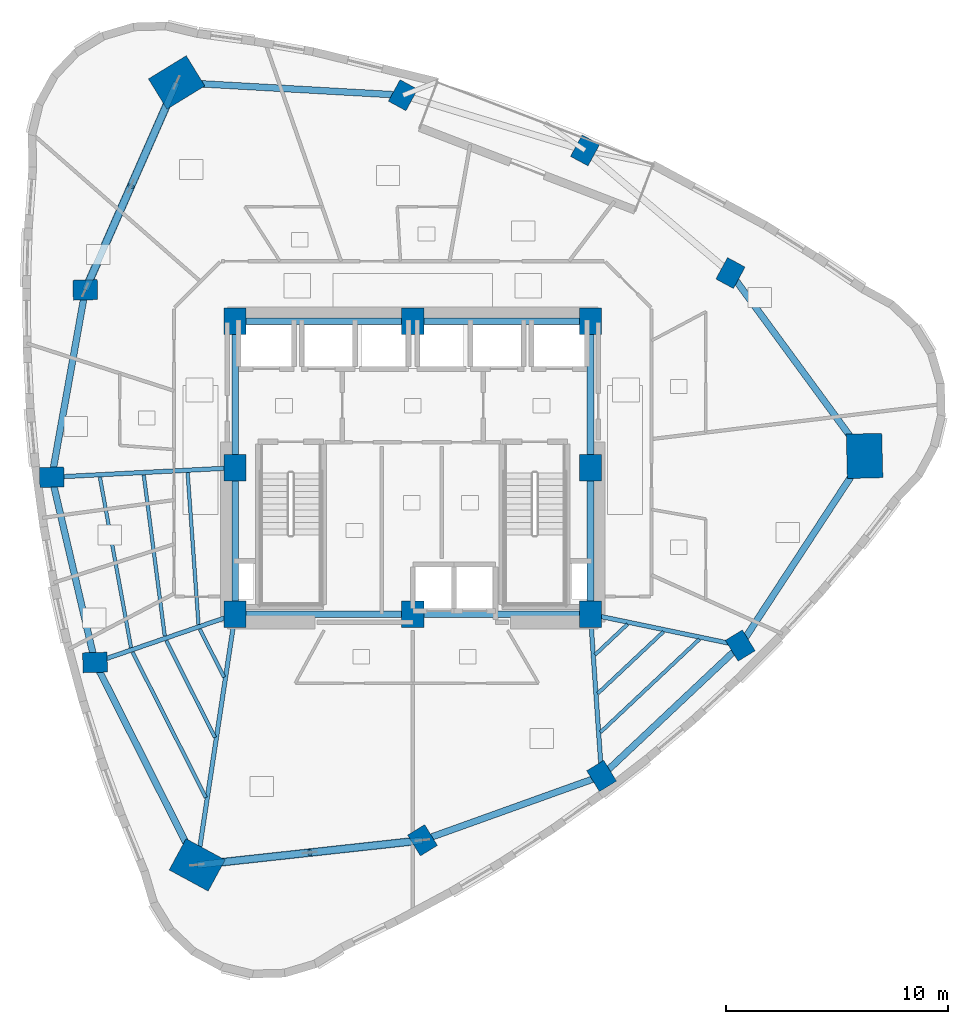
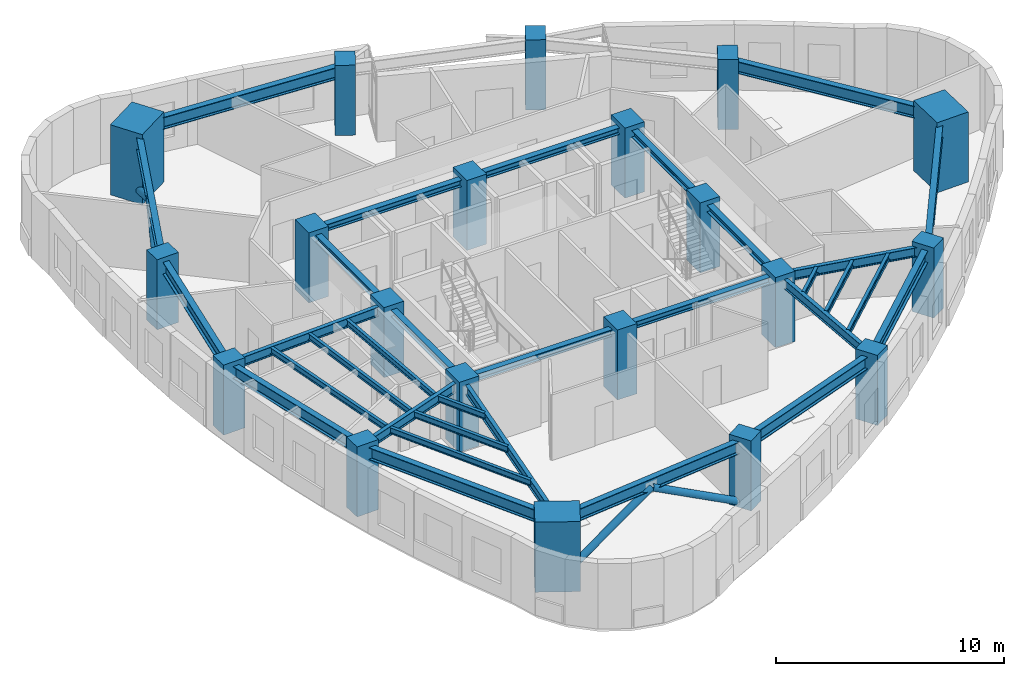
# One storey, part 1 of 13: 32 beams, 20 columns, 4 members.
"""IFC4 building model written with IfcOpenShell, lengths in metres."""

from ifc_helpers import new_model, si_unit, direction, frame, origin, origin_2d, place, context, subcontext, project, spatial, rectangle, hollow_circle, i_section, extrude, material, material_profile, profile_set, type_object, element, save


model = new_model("IFC4")

# Units and contexts
model_context = context("Model", 3, precision=1e-05, world=origin(), true_north=direction((0.0, 1.0)))
body_context = subcontext(model_context, "Body", "Model", "MODEL_VIEW")
ifc_project = project(units=[si_unit("LENGTHUNIT", "METRE"), si_unit("AREAUNIT", "SQUARE_METRE"), si_unit("VOLUMEUNIT", "CUBIC_METRE"), si_unit("PLANEANGLEUNIT", "RADIAN"), si_unit("MASSUNIT", "GRAM", prefix="KILO")], contexts=[model_context])

# Site, building, storey
site_placement = place(None, origin())
site = spatial("IfcSite", under=ifc_project, at=site_placement, CompositionType="ELEMENT")
building_placement = place(site_placement, origin())
building = spatial("IfcBuilding", under=site, at=building_placement, Name="Ndelora Gate Hotel", CompositionType="ELEMENT")
storey_placement = place(building_placement, frame((0.0, 0.0, 157.25)))
storey = spatial("IfcBuildingStorey", under=building, at=storey_placement, Name="L39", CompositionType="ELEMENT", Elevation=157.25)

# Columns
ifc_material_1 = material(Name="Concrete C60/75", Category="concrete")
ifc_material_profile_1 = material_profile(ifc_material_1, rectangle(XDim=1.0, YDim=1.199951171875, at=origin_2d()), Name="RC 1200x1000")
ifc_profile_set_1 = profile_set([ifc_material_profile_1], Name="Concrete C60/75")
column_type_1 = type_object("IfcColumnType", Name="COL-CC-MID", PredefinedType="COLUMN", material=ifc_profile_set_1)
for number, where, z_axis, x_axis, name in (
    (1, (-8.0, -6.60009765625, 0.0), (0.0, 0.0, 1.0), (1.0, 0.0, 0.0), "L39 Core Column CC1"),
    (2, (0.0, -6.60009765625, 0.0), (0.0, 0.0, 1.0), (1.0, 0.0, 0.0), "L39 Core Column CC2"),
    (3, (8.0, -6.60009765625, 0.0), (0.0, 0.0, 1.0), (1.0, 0.0, 0.0), "L39 Core Column CC3"),
    (4, (8.0, 0.0, 0.0), (0.0, 0.0, 1.0), (1.0, 0.0, 0.0), "L39 Core Column CC4"),
    (5, (8.0, 6.60009765625, 0.0), (0.0, 0.0, 1.0), (1.0, 0.0, 0.0), "L39 Core Column CC5"),
    (6, (0.0, 6.60009765625, 0.0), (0.0, 0.0, 1.0), (1.0, 0.0, 0.0), "L39 Core Column CC6"),
    (7, (-8.0, 6.60009765625, 0.0), (0.0, 0.0, 1.0), (1.0, 0.0, 0.0), "L39 Core Column CC7"),
    (8, (-8.0, 0.0, 0.0), (0.0, 0.0, 1.0), (1.0, 0.0, 0.0), "L39 Core Column CC8"),
):
    element("IfcColumn", number, at=place(storey_placement, frame(where, z_axis=z_axis, x_axis=x_axis)), inside=storey, type_object=column_type_1, Name=name, PredefinedType="COLUMN", context=body_context, shape_type="SweptSolid", body=[
        extrude(rectangle(XDim=1.0, YDim=1.199951171875, at=origin_2d()), origin(), (0.0, 0.0, 1.0), 3.75),
    ])
ifc_material_profile_2 = material_profile(ifc_material_1, rectangle(XDim=1.60009765625, YDim=2.0, at=origin_2d()), Name="RC 2000x1600")
ifc_profile_set_2 = profile_set([ifc_material_profile_2], Name="Concrete C60/75")
column_type_2 = type_object("IfcColumnType", Name="COL-MC-Z2", PredefinedType="COLUMN", material=ifc_profile_set_2)
for number, where, z_axis, x_axis, name in (
    (9, (-10.63330078125, 17.351806640625, 0.0), (0.0, 0.0, 1.0), (-0.522498564716, 0.852640164354, 0.0), "L39 Corner Mega-Column R1"),
    (10, (-9.71044921875, -17.884521484375, 0.0), (0.0, 0.0, 1.0), (0.47715876026, 0.878817112662, 0.0), "L39 Corner Mega-Column R5"),
    (11, (20.34375, 0.53271484375, 0.0), (0.0, 0.0, 1.0), (0.999657324976, 0.026176948308, 0.0), "L39 Corner Mega-Column R9"),
):
    element("IfcColumn", number, at=place(storey_placement, frame(where, z_axis=z_axis, x_axis=x_axis)), inside=storey, type_object=column_type_2, Name=name, PredefinedType="COLUMN", context=body_context, shape_type="SweptSolid", body=[
        extrude(rectangle(XDim=1.60009765625, YDim=2.0, at=origin_2d()), origin(), (0.0, 0.0, 1.0), 3.75),
    ])
ifc_material_profile_3 = material_profile(ifc_material_1, rectangle(XDim=0.89990234375, YDim=1.10009765625, at=origin_2d()), Name="RC 1100x900")
ifc_profile_set_3 = profile_set([ifc_material_profile_3], Name="Concrete C60/75")
column_type_3 = type_object("IfcColumnType", Name="COL-PT-Z2", PredefinedType="COLUMN", material=ifc_profile_set_3)
for number, where, z_axis, x_axis, name in (
    (12, (-14.74658203125, 8.006591796875, 0.0), (0.0, 0.0, 1.0), (-0.026176948308, 0.999657324976, 0.0), "L39 Perimeter Tube Column R2"),
    (13, (-16.25537109375, -0.42578125, 0.0), (0.0, 0.0, 1.0), (-0.026176948308, 0.999657324976, 0.0), "L39 Perimeter Tube Column R3"),
    (14, (-14.307373046875, -8.767578125, 0.0), (0.0, 0.0, 1.0), (-0.026176948308, 0.999657324976, 0.0), "L39 Perimeter Tube Column R4"),
    (15, (0.439208984375, -16.7744140625, 0.0), (0.0, 0.0, 1.0), (0.852640164354, 0.522498564716, 0.0), "L39 Perimeter Tube Column R6"),
    (16, (8.50439453125, -13.878173828125, 0.0), (0.0, 0.0, 1.0), (0.852640164354, 0.522498564716, 0.0), "L39 Perimeter Tube Column R7"),
    (17, (14.74658203125, -8.006591796875, 0.0), (0.0, 0.0, 1.0), (0.852640164354, 0.522498564716, 0.0), "L39 Perimeter Tube Column R8"),
    (18, (14.30712890625, 8.767333984375, 0.0), (0.0, 0.0, 1.0), (-0.878817112662, 0.47715876026, 0.0), "L39 Perimeter Tube Column R10"),
    (19, (7.759033203125, 14.290283203125, 0.0), (0.0, 0.0, 1.0), (-0.878817112662, 0.47715876026, 0.0), "L39 Perimeter Tube Column R11"),
    (20, (-0.439208984375, 16.7744140625, 0.0), (0.0, 0.0, 1.0), (-0.878817112662, 0.47715876026, 0.0), "L39 Perimeter Tube Column R12"),
):
    element("IfcColumn", number, at=place(storey_placement, frame(where, z_axis=z_axis, x_axis=x_axis)), inside=storey, type_object=column_type_3, Name=name, PredefinedType="COLUMN", context=body_context, shape_type="SweptSolid", body=[
        extrude(rectangle(XDim=0.89990234375, YDim=1.10009765625, at=origin_2d()), origin(), (0.0, 0.0, 1.0), 3.75),
    ])

# Beams
ifc_material_2 = material(Name="Steel S355", Category="steel")
ifc_material_profile_4 = material_profile(ifc_material_2, i_section(OverallWidth=0.300048828125, OverallDepth=0.360107421875, WebThickness=0.012451171875, FlangeThickness=0.0224609375, FilletRadius=0.027099609375, at=origin_2d()), Name="HEB 360")
ifc_profile_set_4 = profile_set([ifc_material_profile_4], Name="Steel S355")
beam_type_1 = type_object("IfcBeamType", Name="BM-CORE-360", PredefinedType="BEAM", material=ifc_profile_set_4)
for number, where, z_axis, x_axis, name in (
    (21, (-8.0, 6.60009765625, 3.320068359375), (1.0, 0.0, 0.0), (0.0, 1.0, 0.0), "L39 Core Tie Girder CC7-CC6"),
    (22, (0.0, 6.60009765625, 3.320068359375), (1.0, 0.0, 0.0), (0.0, 1.0, 0.0), "L39 Core Tie Girder CC6-CC5"),
):
    element("IfcBeam", number, at=place(storey_placement, frame(where, z_axis=z_axis, x_axis=x_axis)), inside=storey, type_object=beam_type_1, Name=name, PredefinedType="BEAM", context=body_context, shape_type="SweptSolid", body=[
        extrude(i_section(OverallWidth=0.300048828125, OverallDepth=0.360107421875, WebThickness=0.012451171875, FlangeThickness=0.0224609375, FilletRadius=0.027099609375, at=origin_2d()), origin(), (0.0, 0.0, 1.0), 8.0),
    ])
for number, where, z_axis, x_axis, name in (
    (23, (-8.0, -6.60009765625, 3.320068359375), (0.0, 1.0, 0.0), (-1.0, 0.0, 0.0), "L39 Core Tie Girder CC1-CC8"),
    (24, (-8.0, 0.0, 3.320068359375), (0.0, 1.0, 0.0), (-1.0, 0.0, 0.0), "L39 Core Tie Girder CC8-CC7"),
    (25, (8.0, -6.60009765625, 3.320068359375), (0.0, 1.0, 0.0), (-1.0, 0.0, 0.0), "L39 Core Tie Girder CC3-CC4"),
    (26, (8.0, 0.0, 3.320068359375), (0.0, 1.0, 0.0), (-1.0, 0.0, 0.0), "L39 Core Tie Girder CC4-CC5"),
):
    element("IfcBeam", number, at=place(storey_placement, frame(where, z_axis=z_axis, x_axis=x_axis)), inside=storey, type_object=beam_type_1, Name=name, PredefinedType="BEAM", context=body_context, shape_type="SweptSolid", body=[
        extrude(i_section(OverallWidth=0.300048828125, OverallDepth=0.360107421875, WebThickness=0.012451171875, FlangeThickness=0.0224609375, FilletRadius=0.027099609375, at=origin_2d()), origin(), (0.0, 0.0, 1.0), 6.60009765625),
    ])
for number, where, z_axis, x_axis, name in (
    (27, (-8.0, -6.60009765625, 3.320068359375), (1.0, 0.0, 0.0), (0.0, 1.0, 0.0), "L39 Core Tie Girder CC1-CC2"),
    (28, (0.0, -6.60009765625, 3.320068359375), (1.0, 0.0, 0.0), (0.0, 1.0, 0.0), "L39 Core Tie Girder CC2-CC3"),
):
    element("IfcBeam", number, at=place(storey_placement, frame(where, z_axis=z_axis, x_axis=x_axis)), inside=storey, type_object=beam_type_1, Name=name, PredefinedType="BEAM", context=body_context, shape_type="SweptSolid", body=[
        extrude(i_section(OverallWidth=0.300048828125, OverallDepth=0.360107421875, WebThickness=0.012451171875, FlangeThickness=0.0224609375, FilletRadius=0.027099609375, at=origin_2d()), origin(), (0.0, 0.0, 1.0), 8.0),
    ])
ifc_material_profile_5 = material_profile(ifc_material_2, i_section(OverallWidth=0.159912109375, OverallDepth=0.330078125, WebThickness=0.007568359375, FlangeThickness=0.011474609375, FilletRadius=0.01806640625, at=origin_2d()), Name="IPE 330")
ifc_profile_set_5 = profile_set([ifc_material_profile_5], Name="Steel S355")
beam_type_2 = type_object("IfcBeamType", Name="BM-JST-330", PredefinedType="JOIST", material=ifc_profile_set_5)
beam_1_placement = place(storey_placement, frame((-10.138427734375, -0.220458984375, 3.3349609375), z_axis=(0.07162945927, -0.997431311201, 0.0), x_axis=(0.997431311201, 0.07162945927, 0.0)))
element("IfcBeam", 29, at=beam_1_placement, inside=storey, type_object=beam_type_2, Name="L39 Secondary Composite Floor Joist IN-3", PredefinedType="JOIST", context=body_context, shape_type="SweptSolid", body=[
    extrude(i_section(OverallWidth=0.159912109375, OverallDepth=0.330078125, WebThickness=0.007568359375, FlangeThickness=0.011474609375, FilletRadius=0.01806640625, at=origin_2d()), origin(), (0.0, 0.0, 1.0), 6.850830078125),
])
beam_2_placement = place(storey_placement, frame((-12.113525390625, -0.322021484375, 3.3349609375), z_axis=(0.12927924943, -0.991608226906, 0.0), x_axis=(0.991608226906, 0.12927924943, 0.0)))
element("IfcBeam", 30, at=beam_2_placement, inside=storey, type_object=beam_type_2, Name="L39 Secondary Composite Floor Joist MID-3", PredefinedType="JOIST", context=body_context, shape_type="SweptSolid", body=[
    extrude(i_section(OverallWidth=0.159912109375, OverallDepth=0.330078125, WebThickness=0.007568359375, FlangeThickness=0.011474609375, FilletRadius=0.01806640625, at=origin_2d()), origin(), (0.0, 0.0, 1.0), 7.31396484375),
])
beam_3_placement = place(storey_placement, frame((-14.089111328125, -0.423095703125, 3.3349609375), z_axis=(0.179733770179, -0.983715290039, 0.0), x_axis=(0.983715290039, 0.179733770179, 0.0)))
element("IfcBeam", 31, at=beam_3_placement, inside=storey, type_object=beam_type_2, Name="L39 Secondary Composite Floor Joist OUT-3", PredefinedType="JOIST", context=body_context, shape_type="SweptSolid", body=[
    extrude(i_section(OverallWidth=0.159912109375, OverallDepth=0.330078125, WebThickness=0.007568359375, FlangeThickness=0.011474609375, FilletRadius=0.01806640625, at=origin_2d()), origin(), (0.0, 0.0, 1.0), 7.799560546875),
])
beam_4_placement = place(storey_placement, frame((-9.59033203125, -7.26171875, 3.3349609375), z_axis=(0.450139260243, -0.892958367668, 0.0), x_axis=(0.892958367668, 0.450139260243, 0.0)))
element("IfcBeam", 32, at=beam_4_placement, inside=storey, type_object=beam_type_2, Name="L39 Secondary Composite Floor Joist IN-4", PredefinedType="JOIST", context=body_context, shape_type="SweptSolid", body=[
    extrude(i_section(OverallWidth=0.159912109375, OverallDepth=0.330078125, WebThickness=0.007568359375, FlangeThickness=0.011474609375, FilletRadius=0.01806640625, at=origin_2d()), origin(), (0.0, 0.0, 1.0), 2.4345703125),
])
beam_5_placement = place(storey_placement, frame((-11.10400390625, -7.781982421875, 3.3349609375), z_axis=(0.450189724408, -0.892932926953, 0.0), x_axis=(0.892932926953, 0.450189724408, 0.0)))
element("IfcBeam", 33, at=beam_5_placement, inside=storey, type_object=beam_type_2, Name="L39 Secondary Composite Floor Joist MID-4", PredefinedType="JOIST", context=body_context, shape_type="SweptSolid", body=[
    extrude(i_section(OverallWidth=0.159912109375, OverallDepth=0.330078125, WebThickness=0.007568359375, FlangeThickness=0.011474609375, FilletRadius=0.01806640625, at=origin_2d()), origin(), (0.0, 0.0, 1.0), 4.885009765625),
])
beam_6_placement = place(storey_placement, frame((-12.617919921875, -8.30224609375, 3.3349609375), z_axis=(0.45023300903, -0.892911102843, 0.0), x_axis=(0.892911102843, 0.45023300903, 0.0)))
element("IfcBeam", 34, at=beam_6_placement, inside=storey, type_object=beam_type_2, Name="L39 Secondary Composite Floor Joist OUT-4", PredefinedType="JOIST", context=body_context, shape_type="SweptSolid", body=[
    extrude(i_section(OverallWidth=0.159912109375, OverallDepth=0.330078125, WebThickness=0.007568359375, FlangeThickness=0.011474609375, FilletRadius=0.01806640625, at=origin_2d()), origin(), (0.0, 0.0, 1.0), 7.335693359375),
])
beam_7_placement = place(storey_placement, frame((8.211181640625, -8.4169921875, 3.3349609375), z_axis=(0.728414088998, 0.685137150466, 0.0), x_axis=(-0.685137150466, 0.728414088998, 0.0)))
element("IfcBeam", 35, at=beam_7_placement, inside=storey, type_object=beam_type_2, Name="L39 Secondary Composite Floor Joist IN-7", PredefinedType="JOIST", context=body_context, shape_type="SweptSolid", body=[
    extrude(i_section(OverallWidth=0.159912109375, OverallDepth=0.330078125, WebThickness=0.007568359375, FlangeThickness=0.011474609375, FilletRadius=0.01806640625, at=origin_2d()), origin(), (0.0, 0.0, 1.0), 2.00830078125),
])
beam_8_placement = place(storey_placement, frame((8.33251953125, -10.163818359375, 3.3349609375), z_axis=(0.728369245526, 0.685184823366, 0.0), x_axis=(-0.685184823366, 0.728369245526, 0.0)))
element("IfcBeam", 36, at=beam_8_placement, inside=storey, type_object=beam_type_2, Name="L39 Secondary Composite Floor Joist MID-7", PredefinedType="JOIST", context=body_context, shape_type="SweptSolid", body=[
    extrude(i_section(OverallWidth=0.159912109375, OverallDepth=0.330078125, WebThickness=0.007568359375, FlangeThickness=0.011474609375, FilletRadius=0.01806640625, at=origin_2d()), origin(), (0.0, 0.0, 1.0), 4.06494140625),
])
beam_9_placement = place(storey_placement, frame((8.45361328125, -11.910400390625, 3.3349609375), z_axis=(0.728393161111, 0.68515939959, 0.0), x_axis=(-0.68515939959, 0.728393161111, 0.0)))
element("IfcBeam", 37, at=beam_9_placement, inside=storey, type_object=beam_type_2, Name="L39 Secondary Composite Floor Joist OUT-7", PredefinedType="JOIST", context=body_context, shape_type="SweptSolid", body=[
    extrude(i_section(OverallWidth=0.159912109375, OverallDepth=0.330078125, WebThickness=0.007568359375, FlangeThickness=0.011474609375, FilletRadius=0.01806640625, at=origin_2d()), origin(), (0.0, 0.0, 1.0), 6.121337890625),
])
ifc_material_profile_6 = material_profile(ifc_material_2, i_section(OverallWidth=0.199951171875, OverallDepth=0.5, WebThickness=0.01025390625, FlangeThickness=0.01611328125, FilletRadius=0.02099609375, at=origin_2d()), Name="IPE 500")
ifc_profile_set_6 = profile_set([ifc_material_profile_6], Name="Steel S355")
beam_type_3 = type_object("IfcBeamType", Name="BM-RAD-500", PredefinedType="BEAM", material=ifc_profile_set_6)
beam_10_placement = place(storey_placement, frame((-8.0, 0.0, 3.25), z_axis=(-0.998672591881, -0.051507807424, 0.0), x_axis=(0.051507807424, -0.998672591881, 0.0)))
element("IfcBeam", 38, at=beam_10_placement, inside=storey, type_object=beam_type_3, Name="L39 Radial Floor Girder 3", PredefinedType="BEAM", context=body_context, shape_type="SweptSolid", body=[
    extrude(i_section(OverallWidth=0.199951171875, OverallDepth=0.5, WebThickness=0.01025390625, FlangeThickness=0.01611328125, FilletRadius=0.02099609375, at=origin_2d()), origin(), (0.0, 0.0, 1.0), 8.266357421875),
])
beam_11_placement = place(storey_placement, frame((-8.0, -6.60009765625, 3.25), z_axis=(-0.945717893913, -0.324988715392, 0.0), x_axis=(0.324988715392, -0.945717893913, 0.0)))
element("IfcBeam", 39, at=beam_11_placement, inside=storey, type_object=beam_type_3, Name="L39 Radial Floor Girder 4", PredefinedType="BEAM", context=body_context, shape_type="SweptSolid", body=[
    extrude(i_section(OverallWidth=0.199951171875, OverallDepth=0.5, WebThickness=0.01025390625, FlangeThickness=0.01611328125, FilletRadius=0.02099609375, at=origin_2d()), origin(), (0.0, 0.0, 1.0), 6.66943359375),
])
beam_12_placement = place(storey_placement, frame((-8.0, -6.60009765625, 3.25), z_axis=(-0.149864309615, -0.988706573612, 0.0), x_axis=(0.988706573612, -0.149864309615, 0.0)))
element("IfcBeam", 40, at=beam_12_placement, inside=storey, type_object=beam_type_3, Name="L39 Radial Floor Girder 5", PredefinedType="BEAM", context=body_context, shape_type="SweptSolid", body=[
    extrude(i_section(OverallWidth=0.199951171875, OverallDepth=0.5, WebThickness=0.01025390625, FlangeThickness=0.01611328125, FilletRadius=0.02099609375, at=origin_2d()), origin(), (0.0, 0.0, 1.0), 11.413330078125),
])
beam_13_placement = place(storey_placement, frame((8.0, -6.60009765625, 3.25), z_axis=(0.069137444551, -0.997607144001, 0.0), x_axis=(0.997607144001, 0.069137444551, 0.0)))
element("IfcBeam", 41, at=beam_13_placement, inside=storey, type_object=beam_type_3, Name="L39 Radial Floor Girder 7", PredefinedType="BEAM", context=body_context, shape_type="SweptSolid", body=[
    extrude(i_section(OverallWidth=0.199951171875, OverallDepth=0.5, WebThickness=0.01025390625, FlangeThickness=0.01611328125, FilletRadius=0.02099609375, at=origin_2d()), origin(), (0.0, 0.0, 1.0), 7.295654296875),
])
beam_14_placement = place(storey_placement, frame((8.0, -6.60009765625, 3.25), z_axis=(0.978952706778, -0.204087231083, 0.0), x_axis=(0.204087231083, 0.978952706778, 0.0)))
element("IfcBeam", 42, at=beam_14_placement, inside=storey, type_object=beam_type_3, Name="L39 Radial Floor Girder 8", PredefinedType="BEAM", context=body_context, shape_type="SweptSolid", body=[
    extrude(i_section(OverallWidth=0.199951171875, OverallDepth=0.5, WebThickness=0.01025390625, FlangeThickness=0.01611328125, FilletRadius=0.02099609375, at=origin_2d()), origin(), (0.0, 0.0, 1.0), 6.8916015625),
])
ifc_material_profile_7 = material_profile(ifc_material_2, i_section(OverallWidth=0.300048828125, OverallDepth=0.64990234375, WebThickness=0.01611328125, FlangeThickness=0.031005859375, FilletRadius=0.027099609375, at=origin_2d()), Name="HEB 650")
ifc_profile_set_7 = profile_set([ifc_material_profile_7], Name="Steel S355")
beam_type_4 = type_object("IfcBeamType", Name="BM-RING-650", PredefinedType="SPANDREL", material=ifc_profile_set_7)
beam_15_placement = place(storey_placement, frame((-10.63330078125, 17.351806640625, 3.175048828125), z_axis=(-0.402852396707, -0.915264959707, 0.0), x_axis=(0.915264959707, -0.402852396707, 0.0)))
element("IfcBeam", 43, at=beam_15_placement, inside=storey, type_object=beam_type_4, Name="L39 Perimeter Spandrel Girder 1", PredefinedType="SPANDREL", context=body_context, shape_type="SweptSolid", body=[
    extrude(i_section(OverallWidth=0.300048828125, OverallDepth=0.64990234375, WebThickness=0.01611328125, FlangeThickness=0.031005859375, FilletRadius=0.027099609375, at=origin_2d()), origin(), (0.0, 0.0, 1.0), 10.21044921875),
])
beam_16_placement = place(storey_placement, frame((-14.74658203125, 8.006591796875, 3.175048828125), z_axis=(-0.176130938817, -0.984366746894, 0.0), x_axis=(0.984366746894, -0.176130938817, 0.0)))
element("IfcBeam", 44, at=beam_16_placement, inside=storey, type_object=beam_type_4, Name="L39 Perimeter Spandrel Girder 2", PredefinedType="SPANDREL", context=body_context, shape_type="SweptSolid", body=[
    extrude(i_section(OverallWidth=0.300048828125, OverallDepth=0.64990234375, WebThickness=0.01611328125, FlangeThickness=0.031005859375, FilletRadius=0.027099609375, at=origin_2d()), origin(), (0.0, 0.0, 1.0), 8.56640625),
])
beam_17_placement = place(storey_placement, frame((-16.25537109375, -0.42578125, 3.175048828125), z_axis=(0.227404398157, -0.973800410607, 0.0), x_axis=(0.973800410607, 0.227404398157, 0.0)))
element("IfcBeam", 45, at=beam_17_placement, inside=storey, type_object=beam_type_4, Name="L39 Perimeter Spandrel Girder 3", PredefinedType="SPANDREL", context=body_context, shape_type="SweptSolid", body=[
    extrude(i_section(OverallWidth=0.300048828125, OverallDepth=0.64990234375, WebThickness=0.01611328125, FlangeThickness=0.031005859375, FilletRadius=0.027099609375, at=origin_2d()), origin(), (0.0, 0.0, 1.0), 8.566162109375),
])
for number, where, z_axis, x_axis, name in (
    (46, (-14.307373046875, -8.767578125, 3.175048828125), (0.450223868811, -0.892915711561, 0.0), (0.892915711561, 0.450223868811, 0.0), "L39 Perimeter Spandrel Girder 4"),
    (47, (-9.71044921875, -17.884521484375, 3.175048828125), (0.994071812898, 0.108725483685, 0.0), (-0.108725483685, 0.994071812898, 0.0), "L39 Perimeter Spandrel Girder 5"),
):
    element("IfcBeam", number, at=place(storey_placement, frame(where, z_axis=z_axis, x_axis=x_axis)), inside=storey, type_object=beam_type_4, Name=name, PredefinedType="SPANDREL", context=body_context, shape_type="SweptSolid", body=[
        extrude(i_section(OverallWidth=0.300048828125, OverallDepth=0.64990234375, WebThickness=0.01611328125, FlangeThickness=0.031005859375, FilletRadius=0.027099609375, at=origin_2d()), origin(), (0.0, 0.0, 1.0), 10.210205078125),
    ])
beam_18_placement = place(storey_placement, frame((0.439208984375, -16.7744140625, 3.175048828125), z_axis=(0.941155870835, 0.337972819607, 0.0), x_axis=(-0.337972819607, 0.941155870835, 0.0)))
element("IfcBeam", 48, at=beam_18_placement, inside=storey, type_object=beam_type_4, Name="L39 Perimeter Spandrel Girder 6", PredefinedType="SPANDREL", context=body_context, shape_type="SweptSolid", body=[
    extrude(i_section(OverallWidth=0.300048828125, OverallDepth=0.64990234375, WebThickness=0.01611328125, FlangeThickness=0.031005859375, FilletRadius=0.027099609375, at=origin_2d()), origin(), (0.0, 0.0, 1.0), 8.5693359375),
])
beam_19_placement = place(storey_placement, frame((8.50439453125, -13.878173828125, 3.175048828125), z_axis=(0.728399016952, 0.68515317419, 0.0), x_axis=(-0.68515317419, 0.728399016952, 0.0)))
element("IfcBeam", 49, at=beam_19_placement, inside=storey, type_object=beam_type_4, Name="L39 Perimeter Spandrel Girder 7", PredefinedType="SPANDREL", context=body_context, shape_type="SweptSolid", body=[
    extrude(i_section(OverallWidth=0.300048828125, OverallDepth=0.64990234375, WebThickness=0.01611328125, FlangeThickness=0.031005859375, FilletRadius=0.027099609375, at=origin_2d()), origin(), (0.0, 0.0, 1.0), 8.56982421875),
])
for number, where, z_axis, x_axis, name in (
    (50, (14.74658203125, -8.006591796875, 3.175048828125), (0.548194123818, 0.836351123998, 0.0), (-0.836351123998, 0.548194123818, 0.0), "L39 Perimeter Spandrel Girder 8"),
    (51, (20.34375, 0.53271484375, 3.175048828125), (-0.591229932094, 0.806503048597, 0.0), (-0.806503048597, -0.591229932094, 0.0), "L39 Perimeter Spandrel Girder 9"),
):
    element("IfcBeam", number, at=place(storey_placement, frame(where, z_axis=z_axis, x_axis=x_axis)), inside=storey, type_object=beam_type_4, Name=name, PredefinedType="SPANDREL", context=body_context, shape_type="SweptSolid", body=[
        extrude(i_section(OverallWidth=0.300048828125, OverallDepth=0.64990234375, WebThickness=0.01611328125, FlangeThickness=0.031005859375, FilletRadius=0.027099609375, at=origin_2d()), origin(), (0.0, 0.0, 1.0), 10.210205078125),
    ])
beam_20_placement = place(storey_placement, frame((-0.439208984375, 16.7744140625, 3.175048828125), z_axis=(-0.998399808671, 0.056549288648, 0.0), x_axis=(-0.056549288648, -0.998399808671, 0.0)))
element("IfcBeam", 52, at=beam_20_placement, inside=storey, type_object=beam_type_4, Name="L39 Perimeter Spandrel Girder 12", PredefinedType="SPANDREL", context=body_context, shape_type="SweptSolid", body=[
    extrude(i_section(OverallWidth=0.300048828125, OverallDepth=0.64990234375, WebThickness=0.01611328125, FlangeThickness=0.031005859375, FilletRadius=0.027099609375, at=origin_2d()), origin(), (0.0, 0.0, 1.0), 10.21044921875),
])

# Members
ifc_material_profile_8 = material_profile(ifc_material_2, hollow_circle(Radius=0.177978515625, WallThickness=0.01611328125, at=origin_2d()), Name="CHS 356x16")
ifc_profile_set_8 = profile_set([ifc_material_profile_8], Name="Steel S355")
member_type = type_object("IfcMemberType", Name="MB-TUBE-356", PredefinedType="BRACE", material=ifc_profile_set_8)
for number, where, z_axis, x_axis, name in (
    (53, (-10.63330078125, 17.351806640625, 0.02001953125), (-0.34939949201, -0.793822041498, 0.497761550761), (0.915264959707, -0.402852396707, 0.0), "L39 Perimeter Braced-Tube Diagonal 1A"),
    (54, (-14.74658203125, 8.006591796875, 0.02001953125), (0.34939949201, 0.793822041498, 0.497761550761), (-0.915264959707, 0.402852396707, 0.0), "L39 Perimeter Braced-Tube Diagonal 1B"),
):
    element("IfcMember", number, at=place(storey_placement, frame(where, z_axis=z_axis, x_axis=x_axis)), inside=storey, type_object=member_type, Name=name, PredefinedType="BRACE", context=body_context, shape_type="SweptSolid", body=[
        extrude(hollow_circle(Radius=0.177978515625, WallThickness=0.01611328125, at=origin_2d()), origin(), (0.0, 0.0, 1.0), 5.88623046875),
    ])
member_1_placement = place(storey_placement, frame((-9.71044921875, -17.884521484375, 0.02001953125), z_axis=(0.862164358584, 0.094279783848, 0.497779008341), x_axis=(-0.108704438667, 0.994074114447, 0.0)))
element("IfcMember", 55, at=member_1_placement, inside=storey, type_object=member_type, Name="L39 Perimeter Braced-Tube Diagonal 5A", PredefinedType="BRACE", context=body_context, shape_type="SweptSolid", body=[
    extrude(hollow_circle(Radius=0.177978515625, WallThickness=0.01611328125, at=origin_2d()), origin(), (0.0, 0.0, 1.0), 5.885986328125),
])
member_2_placement = place(storey_placement, frame((0.439208984375, -16.7744140625, 0.02001953125), z_axis=(-0.862171632255, -0.094317520169, 0.497759261013), x_axis=(0.108746527545, -0.994069511024, 0.0)))
element("IfcMember", 56, at=member_2_placement, inside=storey, type_object=member_type, Name="L39 Perimeter Braced-Tube Diagonal 5B", PredefinedType="BRACE", context=body_context, shape_type="SweptSolid", body=[
    extrude(hollow_circle(Radius=0.177978515625, WallThickness=0.01611328125, at=origin_2d()), origin(), (0.0, 0.0, 1.0), 5.88623046875),
])

save(model, "model.ifc")
